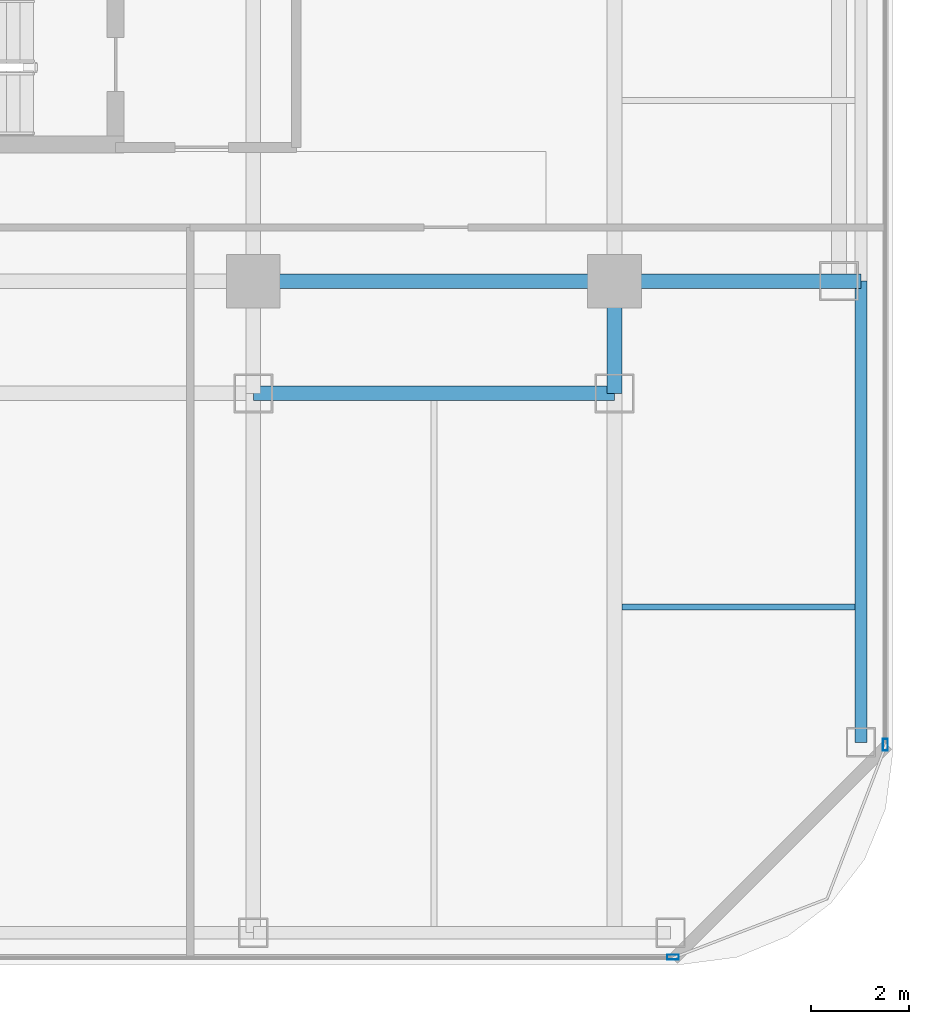
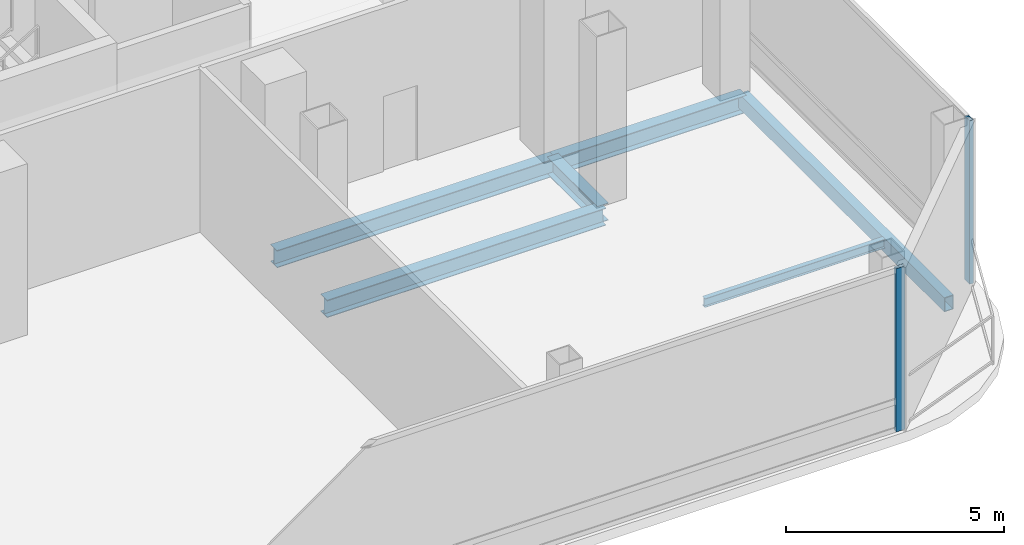
# One storey, part 8 of 22: 6 beams, 2 members, 2 elements without a shape of their own.
"""IFC4 building model written with IfcOpenShell, lengths in metres."""

from ifc_helpers import new_model, si_unit, direction, frame, origin, origin_2d, place, context, subcontext, project, spatial, hollow_rectangle, i_section, extrude, material, layer, layer_set, material_profile, profile_set, type_object, element, aggregate, save


model = new_model("IFC4")

# Units and contexts
model_context = context("Model", 3, precision=1e-05, world=origin(), true_north=direction((0.0, 1.0)))
body_context = subcontext(model_context, "Body", "Model", "MODEL_VIEW")
ifc_project = project(units=[si_unit("LENGTHUNIT", "METRE"), si_unit("AREAUNIT", "SQUARE_METRE"), si_unit("VOLUMEUNIT", "CUBIC_METRE"), si_unit("PLANEANGLEUNIT", "RADIAN"), si_unit("MASSUNIT", "GRAM", prefix="KILO")], contexts=[model_context])

# Site, building, storey
site_placement = place(None, origin())
site = spatial("IfcSite", under=ifc_project, at=site_placement, CompositionType="ELEMENT")
building_placement = place(site_placement, origin())
building = spatial("IfcBuilding", under=site, at=building_placement, Name="Khorvyn Point Tower", CompositionType="ELEMENT")
storey_placement = place(building_placement, frame((0.0, 0.0, 210.89990234375)))
storey = spatial("IfcBuildingStorey", under=building, at=storey_placement, Name="L52", CompositionType="ELEMENT", Elevation=210.89990234375)

# Curtain wall, member
ifc_material_1 = material(Name="Anodised aluminium 6063-T6 and laminated Low-E glass", Category="aluminium")
ifc_layer = layer(ifc_material_1, 0.18994140625)
ifc_layer_set = layer_set([ifc_layer], Name="Stick-Built Sky-Lobby Curtain Wall CW-SYS-05")
curtain_wall_type = type_object("IfcCurtainWallType", Name="Stick-Built Sky-Lobby Curtain Wall CW-SYS-05", PredefinedType="NOTDEFINED", material=ifc_layer_set)
curtain_wall_1_placement = place(storey_placement, origin())
curtain_wall_1 = element("IfcCurtainWall", 1, at=curtain_wall_1_placement, inside=storey, type_object=curtain_wall_type, Name="Curtain Wall", PredefinedType="NOTDEFINED")
ifc_material_2 = material(Name="Anodised aluminium 6063-T6", Category="aluminium")
ifc_material_profile_1 = material_profile(ifc_material_2, hollow_rectangle(XDim=0.10009765625, YDim=0.239990234375, WallThickness=0.0048828125, at=origin_2d()))
ifc_profile_set_1 = profile_set([ifc_material_profile_1], Name="Anodised aluminium 6063-T6 ALU-MUL-100x240")
member_type = type_object("IfcMemberType", Name="Anodised Aluminium 6063-T6 Mullion ALU-MUL-100x240", PredefinedType="MULLION", material=ifc_profile_set_1)
member_1_placement = place(storey_placement, frame((16.0, -28.64990234375, 0.0), z_axis=(0.0, 0.0, 1.0), x_axis=(0.0, -1.0, 0.0)))
member_1 = element("IfcMember", 2, at=member_1_placement, type_object=member_type, Name="Transom", PredefinedType="MULLION", context=body_context, shape_type="SweptSolid", body=[
    extrude(hollow_rectangle(XDim=0.10009765625, YDim=0.239990234375, WallThickness=0.0048828125, at=origin_2d()), origin(), (0.0, 0.0, 1.0), 4.580078125),
])
aggregate(curtain_wall_1, [member_1])

curtain_wall_2_placement = place(storey_placement, origin())
curtain_wall_2 = element("IfcCurtainWall", 3, at=curtain_wall_2_placement, inside=storey, type_object=curtain_wall_type, Name="Curtain Wall", PredefinedType="NOTDEFINED")
member_2_placement = place(storey_placement, frame((20.35009765625, -24.300048828125, 0.0), z_axis=(0.0, 0.0, 1.0), x_axis=(1.0, 0.0, 0.0)))
member_2 = element("IfcMember", 4, at=member_2_placement, type_object=member_type, Name="Transom", PredefinedType="MULLION", context=body_context, shape_type="SweptSolid", body=[
    extrude(hollow_rectangle(XDim=0.10009765625, YDim=0.239990234375, WallThickness=0.0048828125, at=origin_2d()), origin(), (0.0, 0.0, 1.0), 4.580078125),
])
aggregate(curtain_wall_2, [member_2])

# Beams
ifc_material_3 = material(Name="Steel S355", Category="steel")
ifc_material_profile_2 = material_profile(ifc_material_3, i_section(OverallWidth=0.125, OverallDepth=0.25, WebThickness=0.006103515625, FlangeThickness=0.009033203125, at=origin_2d()))
ifc_profile_set_2 = profile_set([ifc_material_profile_2], Name="Steel S355 H250x125x6x9")
beam_type_1 = type_object("IfcBeamType", Name="Steel S355 Joist H250x125x6x9", PredefinedType="JOIST", material=ifc_profile_set_2)
beam_1_placement = place(storey_placement, frame((14.949951171875, -21.47509765625, -0.40478515625), z_axis=(1.0, 0.0, 0.0), x_axis=(0.0, 1.0, 0.0)))
element("IfcBeam", 5, at=beam_1_placement, inside=storey, type_object=beam_type_1, Name="Beam", PredefinedType="JOIST", context=body_context, shape_type="SweptSolid", body=[
    extrude(i_section(OverallWidth=0.125, OverallDepth=0.25, WebThickness=0.006103515625, FlangeThickness=0.009033203125, at=origin_2d()), origin(), (0.0, 0.0, 1.0), 4.775146484375),
])
ifc_material_profile_3 = material_profile(ifc_material_3, i_section(OverallWidth=0.300048828125, OverallDepth=0.488037109375, WebThickness=0.010986328125, FlangeThickness=0.01806640625, at=origin_2d()))
ifc_profile_set_3 = profile_set([ifc_material_profile_3], Name="Steel S355 H488x300x11x18")
beam_type_2 = type_object("IfcBeamType", Name="Steel S355 Spandrel H488x300x11x18", PredefinedType="SPANDREL", material=ifc_profile_set_3)
beam_2_placement = place(storey_placement, frame((7.39990234375, -14.800048828125, -0.52392578125), z_axis=(1.0, 0.0, 0.0), x_axis=(0.0, 1.0, 0.0)))
element("IfcBeam", 6, at=beam_2_placement, inside=storey, type_object=beam_type_2, Name="Beam", PredefinedType="SPANDREL", context=body_context, shape_type="SweptSolid", body=[
    extrude(i_section(OverallWidth=0.300048828125, OverallDepth=0.488037109375, WebThickness=0.010986328125, FlangeThickness=0.01806640625, at=origin_2d()), origin(), (0.0, 0.0, 1.0), 7.400146484375),
])
beam_3_placement = place(storey_placement, frame((14.800048828125, -14.800048828125, -0.52392578125), z_axis=(1.0, 0.0, 0.0), x_axis=(0.0, 1.0, 0.0)))
element("IfcBeam", 7, at=beam_3_placement, inside=storey, type_object=beam_type_2, Name="Beam", PredefinedType="SPANDREL", context=body_context, shape_type="SweptSolid", body=[
    extrude(i_section(OverallWidth=0.300048828125, OverallDepth=0.488037109375, WebThickness=0.010986328125, FlangeThickness=0.01806640625, at=origin_2d()), origin(), (0.0, 0.0, 1.0), 5.050048828125),
])
beam_4_placement = place(storey_placement, frame((7.39990234375, -17.10009765625, -0.52392578125), z_axis=(1.0, 0.0, 0.0), x_axis=(0.0, 1.0, 0.0)))
element("IfcBeam", 8, at=beam_4_placement, inside=storey, type_object=beam_type_2, Name="Beam", PredefinedType="SPANDREL", context=body_context, shape_type="SweptSolid", body=[
    extrude(i_section(OverallWidth=0.300048828125, OverallDepth=0.488037109375, WebThickness=0.010986328125, FlangeThickness=0.01806640625, at=origin_2d()), origin(), (0.0, 0.0, 1.0), 7.400146484375),
])
beam_5_placement = place(storey_placement, frame((14.800048828125, -17.10009765625, -0.52392578125), z_axis=(0.0, 1.0, 0.0), x_axis=(-1.0, 0.0, 0.0)))
element("IfcBeam", 9, at=beam_5_placement, inside=storey, type_object=beam_type_2, Name="Beam", PredefinedType="SPANDREL", context=body_context, shape_type="SweptSolid", body=[
    extrude(i_section(OverallWidth=0.300048828125, OverallDepth=0.488037109375, WebThickness=0.010986328125, FlangeThickness=0.01806640625, at=origin_2d()), origin(), (0.0, 0.0, 1.0), 2.300048828125),
])
ifc_material_profile_4 = material_profile(ifc_material_3, hollow_rectangle(XDim=0.25, YDim=0.39990234375, WallThickness=0.01611328125, at=origin_2d()))
ifc_profile_set_4 = profile_set([ifc_material_profile_4], Name="Steel S355 RHS400x250x16")
beam_type_3 = type_object("IfcBeamType", Name="Steel S355 Spandrel RHS400x250x16", PredefinedType="SPANDREL", material=ifc_profile_set_4)
beam_6_placement = place(storey_placement, frame((19.85009765625, -24.25, -0.47998046875), z_axis=(0.0, 1.0, 0.0), x_axis=(-1.0, 0.0, 0.0)))
element("IfcBeam", 10, at=beam_6_placement, inside=storey, type_object=beam_type_3, Name="Beam", PredefinedType="SPANDREL", context=body_context, shape_type="SweptSolid", body=[
    extrude(hollow_rectangle(XDim=0.25, YDim=0.39990234375, WallThickness=0.01611328125, at=origin_2d()), origin(), (0.0, 0.0, 1.0), 9.449951171875),
])

save(model, "model.ifc")
